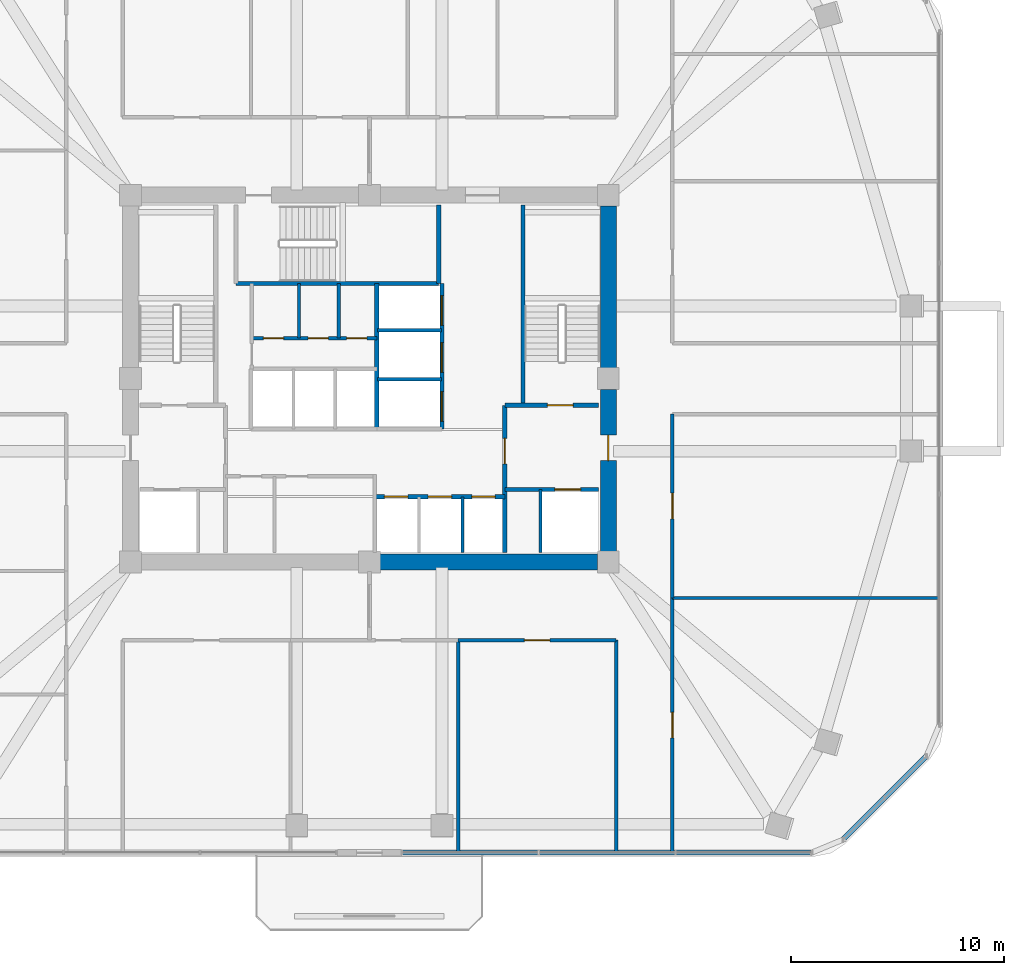
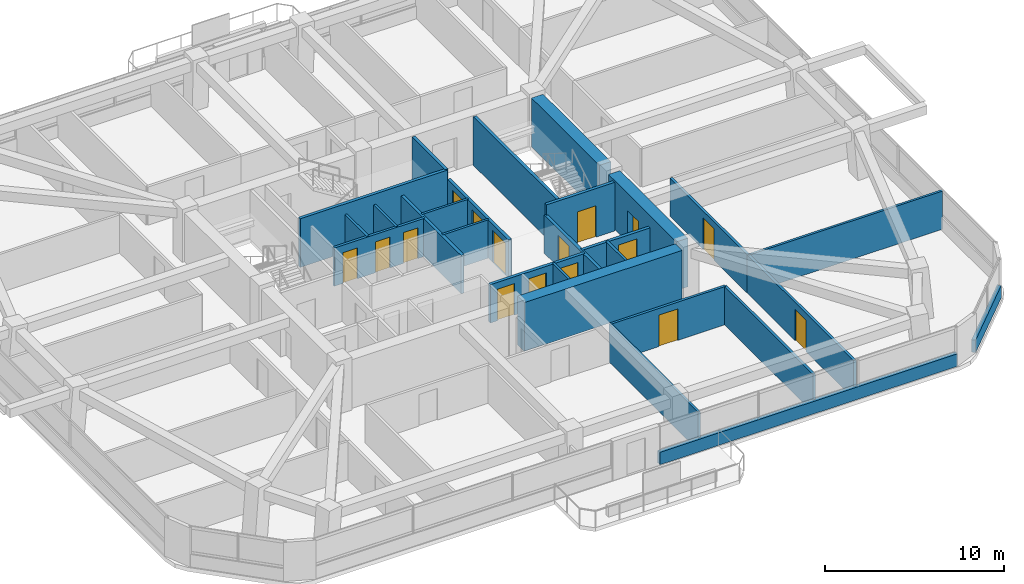
# One storey, part 9 of 13: 27 walls, 16 doors, 16 openings.
"""IFC4 building model written with IfcOpenShell, lengths in metres."""

from ifc_helpers import new_model, si_unit, derived_unit, direction, frame, frame_2d, origin, place, context, subcontext, project, spatial, rectangle, extrude, material, layer, layer_set, type_object, element, fill, save


model = new_model("IFC4")

# Units and contexts
model_context = context("Model", 3, precision=1e-05, world=origin(), true_north=direction((0.0, 1.0)))
body_context = subcontext(model_context, "Body", "Model", "MODEL_VIEW")
ifc_project = project(units=[si_unit("LENGTHUNIT", "METRE"), si_unit("AREAUNIT", "SQUARE_METRE"), si_unit("VOLUMEUNIT", "CUBIC_METRE"), si_unit("PLANEANGLEUNIT", "RADIAN"), si_unit("MASSUNIT", "GRAM", prefix="KILO"), derived_unit("THERMALTRANSMITTANCEUNIT", [(si_unit("POWERUNIT", "WATT"), 1), (si_unit("LENGTHUNIT", "METRE"), -2), (si_unit("THERMODYNAMICTEMPERATUREUNIT", "KELVIN"), -1)])], contexts=[model_context])

# Site, building, storey
site_placement = place(None, origin())
site = spatial("IfcSite", under=ifc_project, at=site_placement, CompositionType="ELEMENT")
building_placement = place(site_placement, origin())
building = spatial("IfcBuilding", under=site, at=building_placement, Name="Koralith Skygarden Medical Center", CompositionType="ELEMENT")
storey_placement = place(building_placement, frame((0.0, 0.0, 88.3798828125)))
storey = spatial("IfcBuildingStorey", under=building, at=storey_placement, Name="L22", CompositionType="ELEMENT", Elevation=88.3798828125)

# Walls
ifc_material_1 = material(Name="Gypsum Board Partition")
ifc_layer_1 = layer(ifc_material_1, 0.14990234375)
ifc_layer_set_1 = layer_set([ifc_layer_1], Name="Gypsum Board Partition")
wall_type_1 = type_object("IfcWallType", Name="Clinical Acoustic Partition 150", PredefinedType="PARTITIONING", material=ifc_layer_set_1)
for number, where, z_axis, x_axis, name in (
    (1, (33.699951171875, 27.800048828125, 0.0), (0.0, 0.0, 1.0), (0.0, 1.0, 0.0), "L22 Clinical Acoustic Partition 150 W-CORE-L22-FLEX-V2A"),
    (2, (35.56005859375, 27.800048828125, 0.0), (0.0, 0.0, 1.0), (0.0, 1.0, 0.0), "L22 Clinical Acoustic Partition 150 W-CORE-L22-FLEX-V2B"),
):
    element("IfcWall", number, at=place(storey_placement, frame(where, z_axis=z_axis, x_axis=x_axis)), inside=storey, type_object=wall_type_1, Name=name, PredefinedType="PARTITIONING", context=body_context, shape_type="SweptSolid", body=[
        extrude(rectangle(XDim=2.56005859375, YDim=0.14990234375, at=frame_2d((1.280029296875, 0.0))), origin(), (0.0, 0.0, 1.0), 2.610107421875),
    ])
wall_1_placement = place(storey_placement, frame((41.162109375, 13.639892578125, 0.0), z_axis=(0.0, 0.0, 1.0), x_axis=(0.0, -1.0, 0.0)))
element("IfcWall", 3, at=wall_1_placement, inside=storey, type_object=wall_type_1, Name="L22 Clinical Acoustic Partition 150 W-PART-L22-S-02", PredefinedType="PARTITIONING", context=body_context, shape_type="SweptSolid", body=[
    extrude(rectangle(XDim=9.93994140625, YDim=0.14990234375, at=frame_2d((4.969970703125, 0.0))), origin(), (0.0, 0.0, 1.0), 2.610107421875),
])
wall_2_placement = place(storey_placement, frame((51.2099609375, 15.613037109375, 0.0), z_axis=(0.0, 0.0, 1.0), x_axis=(1.0, 0.0, 0.0)))
element("IfcWall", 4, at=wall_2_placement, inside=storey, type_object=wall_type_1, Name="L22 Clinical Acoustic Partition 150 W-PART-L22-ES-01", PredefinedType="PARTITIONING", context=body_context, shape_type="SweptSolid", body=[
    extrude(rectangle(XDim=12.489990234375, YDim=0.14990234375, at=frame_2d((6.2451171875, 0.0))), origin(), (0.0, 0.0, 1.0), 2.610107421875),
])
ifc_layer_2 = layer(ifc_material_1, 0.1650390625)
ifc_layer_set_2 = layer_set([ifc_layer_2], Name="Gypsum Board Partition")
wall_type_2 = type_object("IfcWallType", Name="Clinical Corridor Partition 165", PredefinedType="PARTITIONING", material=ifc_layer_set_2)
wall_3_placement = place(storey_placement, frame((48.570068359375, 3.699951171875, 0.0), z_axis=(0.0, 0.0, 1.0), x_axis=(0.0, 1.0, 0.0)))
element("IfcWall", 5, at=wall_3_placement, inside=storey, type_object=wall_type_2, Name="L22 Clinical Corridor Partition 165 W-HCOR-L22-SE", PredefinedType="PARTITIONING", context=body_context, shape_type="SweptSolid", body=[
    extrude(rectangle(XDim=9.93994140625, YDim=0.1650390625, at=frame_2d((4.969970703125, 0.0))), origin(), (0.0, 0.0, 1.0), 2.610107421875),
])

# Wall, opening, door
wall_4_placement = place(storey_placement, frame((41.162109375, 13.639892578125, 0.0), z_axis=(0.0, 0.0, 1.0), x_axis=(1.0, 0.0, 0.0)))
wall_4 = element("IfcWall", 6, at=wall_4_placement, inside=storey, type_object=wall_type_2, Name="L22 Clinical Corridor Partition 165 W-CORR-L22-S-03", PredefinedType="PARTITIONING", context=body_context, shape_type="SweptSolid", body=[
    extrude(rectangle(XDim=7.407958984375, YDim=0.1650390625, at=frame_2d((3.7041015625, 0.0))), origin(), (0.0, 0.0, 1.0), 2.610107421875),
])
opening_1_placement = place(wall_4_placement, frame((3.10400390625, 0.0, 0.0)))
opening_1 = element("IfcOpeningElement", 7, at=opening_1_placement, cuts=wall_4, Name="Opening D-CLN", PredefinedType="OPENING", context=body_context, shape_type="SweptSolid", body=[
    extrude(rectangle(XDim=1.199951171875, YDim=2.14990234375, at=frame_2d((0.60009765625, 1.074951171875))), frame((0.0, 0.092529296875, 0.0), z_axis=(0.0, -1.0, 0.0), x_axis=(1.0, 0.0, 0.0)), (0.0, 0.0, 1.0), 0.18505859375),
])
ifc_material_2 = material(Name="Aluminium 6063-T6", Category="aluminium")
door_type_1 = type_object("IfcDoorType", Name="Clinical Corridor Door D-CLN 1200", OperationType="NOTDEFINED", PredefinedType="DOOR", material=ifc_material_2)
door_1_placement = place(opening_1_placement, frame((1.199951171875, 0.0, 0.0), z_axis=(0.0, 0.0, 1.0), x_axis=(-1.0, 0.0, 0.0)))
door_1 = element("IfcDoor", 8, at=door_1_placement, inside=storey, type_object=door_type_1, Name="L22 Physician Consultation Office 07 Door", OperationType="SINGLE_SWING_RIGHT", OverallHeight=2.14990234375, OverallWidth=1.199951171875, PredefinedType="DOOR", context=body_context, shape_type="SweptSolid", body=[
    extrude(rectangle(XDim=1.199951171875, YDim=2.14990234375, at=frame_2d((0.60009765625, 1.074951171875))), frame((0.0, 0.02490234375, 0.0), z_axis=(0.0, -1.0, 0.0), x_axis=(1.0, 0.0, 0.0)), (0.0, 0.0, 1.0), 0.050048828125),
])
fill(opening_1, door_1)

wall_5_placement = place(storey_placement, frame((51.2099609375, 3.699951171875, 0.0), z_axis=(0.0, 0.0, 1.0), x_axis=(0.0, 1.0, 0.0)))
wall_5 = element("IfcWall", 9, at=wall_5_placement, inside=storey, type_object=wall_type_2, Name="L22 Clinical Corridor Partition 165 W-CORR-L22-ES-01", PredefinedType="PARTITIONING", context=body_context, shape_type="SweptSolid", body=[
    extrude(rectangle(XDim=11.9130859375, YDim=0.1650390625, at=frame_2d((5.95654296875, 0.0))), origin(), (0.0, 0.0, 1.0), 2.610107421875),
])
opening_2_placement = place(wall_5_placement, frame((5.35693359375, 0.0, 0.0)))
opening_2 = element("IfcOpeningElement", 10, at=opening_2_placement, cuts=wall_5, Name="Opening D-CLN", PredefinedType="OPENING", context=body_context, shape_type="SweptSolid", body=[
    extrude(rectangle(XDim=1.199951171875, YDim=2.14990234375, at=frame_2d((0.60009765625, 1.074951171875))), frame((0.0, 0.092529296875, 0.0), z_axis=(0.0, -1.0, 0.0), x_axis=(1.0, 0.0, 0.0)), (0.0, 0.0, 1.0), 0.18505859375),
])
door_2_placement = place(opening_2_placement, origin())
door_2 = element("IfcDoor", 11, at=door_2_placement, inside=storey, type_object=door_type_1, Name="L22 Patient Nutrition Pantry 13 Door", OperationType="SINGLE_SWING_RIGHT", OverallHeight=2.14990234375, OverallWidth=1.199951171875, PredefinedType="DOOR", context=body_context, shape_type="SweptSolid", body=[
    extrude(rectangle(XDim=1.199951171875, YDim=2.14990234375, at=frame_2d((0.60009765625, 1.074951171875))), frame((0.0, 0.02490234375, 0.0), z_axis=(0.0, -1.0, 0.0), x_axis=(1.0, 0.0, 0.0)), (0.0, 0.0, 1.0), 0.050048828125),
])
fill(opening_2, door_2)

wall_6_placement = place(storey_placement, frame((51.2099609375, 15.613037109375, 0.0), z_axis=(0.0, 0.0, 1.0), x_axis=(0.0, 1.0, 0.0)))
wall_6 = element("IfcWall", 12, at=wall_6_placement, inside=storey, type_object=wall_type_2, Name="L22 Clinical Corridor Partition 165 W-CORR-L22-ES-02", PredefinedType="PARTITIONING", context=body_context, shape_type="SweptSolid", body=[
    extrude(rectangle(XDim=8.626953125, YDim=0.1650390625, at=frame_2d((4.3134765625, 0.0))), origin(), (0.0, 0.0, 1.0), 2.610107421875),
])
opening_3_placement = place(wall_6_placement, frame((3.712890625, 0.0, 0.0)))
opening_3 = element("IfcOpeningElement", 13, at=opening_3_placement, cuts=wall_6, Name="Opening D-CLN", PredefinedType="OPENING", context=body_context, shape_type="SweptSolid", body=[
    extrude(rectangle(XDim=1.199951171875, YDim=2.14990234375, at=frame_2d((0.60009765625, 1.074951171875))), frame((0.0, 0.092529296875, 0.0), z_axis=(0.0, -1.0, 0.0), x_axis=(1.0, 0.0, 0.0)), (0.0, 0.0, 1.0), 0.18505859375),
])
door_3_placement = place(opening_3_placement, origin())
door_3 = element("IfcDoor", 14, at=door_3_placement, inside=storey, type_object=door_type_1, Name="L22 Clinical Consultation Office 14 Door", OperationType="SINGLE_SWING_LEFT", OverallHeight=2.14990234375, OverallWidth=1.199951171875, PredefinedType="DOOR", context=body_context, shape_type="SweptSolid", body=[
    extrude(rectangle(XDim=1.199951171875, YDim=2.14990234375, at=frame_2d((0.60009765625, 1.074951171875))), frame((0.0, 0.02490234375, 0.0), z_axis=(0.0, -1.0, 0.0), x_axis=(1.0, 0.0, 0.0)), (0.0, 0.0, 1.0), 0.050048828125),
])
fill(opening_3, door_3)

ifc_layer_3 = layer(ifc_material_1, 0.199951171875)
ifc_layer_set_3 = layer_set([ifc_layer_3], Name="Gypsum Board Partition")
wall_type_3 = type_object("IfcWallType", Name="Fire Shaft Wall 200", PredefinedType="SOLIDWALL", material=ifc_layer_set_3)
wall_7_placement = place(storey_placement, frame((43.35009765625, 20.699951171875, 0.0), z_axis=(0.0, 0.0, 1.0), x_axis=(1.0, 0.0, 0.0)))
wall_7 = element("IfcWall", 15, at=wall_7_placement, inside=storey, type_object=wall_type_3, Name="L22 Fire Shaft Wall 200 W-CORE-L22-FF2-N", PredefinedType="SOLIDWALL", context=body_context, shape_type="SweptSolid", body=[
    extrude(rectangle(XDim=4.39990234375, YDim=0.199951171875, at=frame_2d((2.199951171875, 0.0))), origin(), (0.0, 0.0, 1.0), 2.610107421875),
])
opening_4_placement = place(wall_7_placement, frame((2.35009765625, 0.0, 0.0)))
opening_4 = element("IfcOpeningElement", 16, at=opening_4_placement, cuts=wall_7, Name="Opening LD-FF", PredefinedType="OPENING", context=body_context, shape_type="SweptSolid", body=[
    extrude(rectangle(XDim=1.199951171875, YDim=2.14990234375, at=frame_2d((0.60009765625, 1.074951171875))), frame((0.0, 0.10986328125, 0.0), z_axis=(0.0, -1.0, 0.0), x_axis=(1.0, 0.0, 0.0)), (0.0, 0.0, 1.0), 0.219970703125),
])
ifc_material_3 = material(Name="Steel ASTM A500 Grade C", Category="steel")
door_type_2 = type_object("IfcDoorType", Name="Fire Lift Sliding Landing Door LD-FF 1200", OperationType="NOTDEFINED", PredefinedType="DOOR", material=ifc_material_3)
door_4_placement = place(opening_4_placement, origin())
door_4 = element("IfcDoor", 17, at=door_4_placement, inside=storey, type_object=door_type_2, Name="L22 Fire Service Elevator FF2 Landing Door", OperationType="SLIDING_TO_RIGHT", OverallHeight=2.14990234375, OverallWidth=1.199951171875, PredefinedType="DOOR", context=body_context, shape_type="SweptSolid", body=[
    extrude(rectangle(XDim=1.199951171875, YDim=2.14990234375, at=frame_2d((0.60009765625, 1.074951171875))), frame((0.0, 0.02490234375, 0.0), z_axis=(0.0, -1.0, 0.0), x_axis=(1.0, 0.0, 0.0)), (0.0, 0.0, 1.0), 0.050048828125),
])
fill(opening_4, door_4)

wall_8_placement = place(storey_placement, frame((43.35009765625, 17.75, 0.0), z_axis=(0.0, 0.0, 1.0), x_axis=(0.0, 1.0, 0.0)))
wall_8 = element("IfcWall", 18, at=wall_8_placement, inside=storey, type_object=wall_type_3, Name="L22 Fire Shaft Wall 200 W-CORE-L22-FSAEE-W", PredefinedType="SOLIDWALL", context=body_context, shape_type="SweptSolid", body=[
    extrude(rectangle(XDim=6.89990234375, YDim=0.199951171875, at=frame_2d((3.449951171875, 0.0))), origin(), (0.0, 0.0, 1.0), 2.610107421875),
])
opening_5_placement = place(wall_8_placement, frame((4.14990234375, 0.0, 0.0)))
opening_5 = element("IfcOpeningElement", 19, at=opening_5_placement, cuts=wall_8, Name="Opening D-ST60", PredefinedType="OPENING", context=body_context, shape_type="SweptSolid", body=[
    extrude(rectangle(XDim=1.199951171875, YDim=2.14990234375, at=frame_2d((0.60009765625, 1.074951171875))), frame((0.0, 0.10986328125, 0.0), z_axis=(0.0, -1.0, 0.0), x_axis=(1.0, 0.0, 0.0)), (0.0, 0.0, 1.0), 0.219970703125),
])
door_type_3 = type_object("IfcDoorType", Name="Smokeproof Stair Fire Door FD60S 1200", OperationType="NOTDEFINED", PredefinedType="DOOR", material=ifc_material_3)
door_5_placement = place(opening_5_placement, frame((1.199951171875, 0.0, 0.0), z_axis=(0.0, 0.0, 1.0), x_axis=(-1.0, 0.0, 0.0)))
door_5 = element("IfcDoor", 20, at=door_5_placement, inside=storey, type_object=door_type_3, Name="L22 East Firefighting Lobby Inner Fire Door", OperationType="SINGLE_SWING_RIGHT", OverallHeight=2.14990234375, OverallWidth=1.199951171875, PredefinedType="DOOR", context=body_context, shape_type="SweptSolid", body=[
    extrude(rectangle(XDim=1.199951171875, YDim=2.14990234375, at=frame_2d((0.60009765625, 1.074951171875))), frame((0.0, 0.02490234375, 0.0), z_axis=(0.0, -1.0, 0.0), x_axis=(1.0, 0.0, 0.0)), (0.0, 0.0, 1.0), 0.050048828125),
])
fill(opening_5, door_5)

# Wall, openings, doors
wall_9_placement = place(storey_placement, frame((37.25, 20.360107421875, 0.0), z_axis=(0.0, 0.0, 1.0), x_axis=(1.0, 0.0, 0.0)))
wall_9 = element("IfcWall", 21, at=wall_9_placement, inside=storey, type_object=wall_type_3, Name="L22 Fire Shaft Wall 200 W-CORE-L22-PM-N", PredefinedType="SOLIDWALL", context=body_context, shape_type="SweptSolid", body=[
    extrude(rectangle(XDim=6.10009765625, YDim=0.199951171875, at=frame_2d((3.050048828125, 0.0))), origin(), (0.0, 0.0, 1.0), 2.610107421875),
])
opening_6_placement = place(wall_9_placement, frame((0.449951171875, 0.0, 0.0)))
opening_6 = element("IfcOpeningElement", 22, at=opening_6_placement, cuts=wall_9, Name="Opening LD-P", PredefinedType="OPENING", context=body_context, shape_type="SweptSolid", body=[
    extrude(rectangle(XDim=1.10009765625, YDim=2.14990234375, at=frame_2d((0.550048828125, 1.074951171875))), frame((0.0, 0.10986328125, 0.0), z_axis=(0.0, -1.0, 0.0), x_axis=(1.0, 0.0, 0.0)), (0.0, 0.0, 1.0), 0.219970703125),
])
opening_7_placement = place(wall_9_placement, frame((2.5, 0.0, 0.0)))
opening_7 = element("IfcOpeningElement", 23, at=opening_7_placement, cuts=wall_9, Name="Opening LD-P", PredefinedType="OPENING", context=body_context, shape_type="SweptSolid", body=[
    extrude(rectangle(XDim=1.10009765625, YDim=2.14990234375, at=frame_2d((0.550048828125, 1.074951171875))), frame((0.0, 0.10986328125, 0.0), z_axis=(0.0, -1.0, 0.0), x_axis=(1.0, 0.0, 0.0)), (0.0, 0.0, 1.0), 0.219970703125),
])
opening_8_placement = place(wall_9_placement, frame((4.550048828125, 0.0, 0.0)))
opening_8 = element("IfcOpeningElement", 24, at=opening_8_placement, cuts=wall_9, Name="Opening LD-P", PredefinedType="OPENING", context=body_context, shape_type="SweptSolid", body=[
    extrude(rectangle(XDim=1.10009765625, YDim=2.14990234375, at=frame_2d((0.550048828125, 1.074951171875))), frame((0.0, 0.10986328125, 0.0), z_axis=(0.0, -1.0, 0.0), x_axis=(1.0, 0.0, 0.0)), (0.0, 0.0, 1.0), 0.219970703125),
])
door_type_4 = type_object("IfcDoorType", Name="Passenger Lift Sliding Landing Door LD-P 1100", OperationType="NOTDEFINED", PredefinedType="DOOR", material=ifc_material_3)
door_6_placement = place(opening_6_placement, origin())
door_6 = element("IfcDoor", 25, at=door_6_placement, inside=storey, type_object=door_type_4, Name="L22 Passenger Elevator PM1 Landing Door", OperationType="SLIDING_TO_LEFT", OverallHeight=2.14990234375, OverallWidth=1.10009765625, PredefinedType="DOOR", context=body_context, shape_type="SweptSolid", body=[
    extrude(rectangle(XDim=1.10009765625, YDim=2.14990234375, at=frame_2d((0.550048828125, 1.074951171875))), frame((0.0, 0.02490234375, 0.0), z_axis=(0.0, -1.0, 0.0), x_axis=(1.0, 0.0, 0.0)), (0.0, 0.0, 1.0), 0.050048828125),
])
fill(opening_6, door_6)
door_7_placement = place(opening_7_placement, origin())
door_7 = element("IfcDoor", 26, at=door_7_placement, inside=storey, type_object=door_type_4, Name="L22 Passenger Elevator PM2 Landing Door", OperationType="SLIDING_TO_LEFT", OverallHeight=2.14990234375, OverallWidth=1.10009765625, PredefinedType="DOOR", context=body_context, shape_type="SweptSolid", body=[
    extrude(rectangle(XDim=1.10009765625, YDim=2.14990234375, at=frame_2d((0.550048828125, 1.074951171875))), frame((0.0, 0.02490234375, 0.0), z_axis=(0.0, -1.0, 0.0), x_axis=(1.0, 0.0, 0.0)), (0.0, 0.0, 1.0), 0.050048828125),
])
fill(opening_7, door_7)
door_8_placement = place(opening_8_placement, origin())
door_8 = element("IfcDoor", 27, at=door_8_placement, inside=storey, type_object=door_type_4, Name="L22 Passenger Elevator PM3 Landing Door", OperationType="SLIDING_TO_LEFT", OverallHeight=2.14990234375, OverallWidth=1.10009765625, PredefinedType="DOOR", context=body_context, shape_type="SweptSolid", body=[
    extrude(rectangle(XDim=1.10009765625, YDim=2.14990234375, at=frame_2d((0.550048828125, 1.074951171875))), frame((0.0, 0.02490234375, 0.0), z_axis=(0.0, -1.0, 0.0), x_axis=(1.0, 0.0, 0.0)), (0.0, 0.0, 1.0), 0.050048828125),
])
fill(opening_8, door_8)

# Wall
wall_10_placement = place(storey_placement, frame((37.35009765625, 23.5400390625, 0.0), z_axis=(0.0, 0.0, 1.0), x_axis=(0.0, 1.0, 0.0)))
element("IfcWall", 28, at=wall_10_placement, inside=storey, type_object=wall_type_3, Name="L22 Fire Shaft Wall 200 W-CORE-L22-SV-W", PredefinedType="SOLIDWALL", context=body_context, shape_type="SweptSolid", body=[
    extrude(rectangle(XDim=6.820068359375, YDim=0.199951171875, at=frame_2d((3.41015625, 0.0))), origin(), (0.0, 0.0, 1.0), 2.610107421875),
])

# Wall, openings, doors
wall_11_placement = place(storey_placement, frame((40.39990234375, 23.5400390625, 0.0), z_axis=(0.0, 0.0, 1.0), x_axis=(0.0, 1.0, 0.0)))
wall_11 = element("IfcWall", 29, at=wall_11_placement, inside=storey, type_object=wall_type_3, Name="L22 Fire Shaft Wall 200 W-CORE-L22-SV-E", PredefinedType="SOLIDWALL", context=body_context, shape_type="SweptSolid", body=[
    extrude(rectangle(XDim=6.820068359375, YDim=0.199951171875, at=frame_2d((3.41015625, 0.0))), origin(), (0.0, 0.0, 1.0), 2.610107421875),
])
opening_9_placement = place(wall_11_placement, frame((0.35009765625, 0.0, 0.0)))
opening_9 = element("IfcOpeningElement", 30, at=opening_9_placement, cuts=wall_11, Name="Opening LD-SV", PredefinedType="OPENING", context=body_context, shape_type="SweptSolid", body=[
    extrude(rectangle(XDim=1.39990234375, YDim=2.199951171875, at=frame_2d((0.699951171875, 1.10009765625))), frame((0.0, 0.10986328125, 0.0), z_axis=(0.0, -1.0, 0.0), x_axis=(1.0, 0.0, 0.0)), (0.0, 0.0, 1.0), 0.219970703125),
])
opening_10_placement = place(wall_11_placement, frame((2.64990234375, 0.0, 0.0)))
opening_10 = element("IfcOpeningElement", 31, at=opening_10_placement, cuts=wall_11, Name="Opening LD-SV", PredefinedType="OPENING", context=body_context, shape_type="SweptSolid", body=[
    extrude(rectangle(XDim=1.39990234375, YDim=2.199951171875, at=frame_2d((0.699951171875, 1.10009765625))), frame((0.0, 0.10986328125, 0.0), z_axis=(0.0, -1.0, 0.0), x_axis=(1.0, 0.0, 0.0)), (0.0, 0.0, 1.0), 0.219970703125),
])
opening_11_placement = place(wall_11_placement, frame((4.85009765625, 0.0, 0.0)))
opening_11 = element("IfcOpeningElement", 32, at=opening_11_placement, cuts=wall_11, Name="Opening LD-SV", PredefinedType="OPENING", context=body_context, shape_type="SweptSolid", body=[
    extrude(rectangle(XDim=1.39990234375, YDim=2.199951171875, at=frame_2d((0.699951171875, 1.10009765625))), frame((0.0, 0.10986328125, 0.0), z_axis=(0.0, -1.0, 0.0), x_axis=(1.0, 0.0, 0.0)), (0.0, 0.0, 1.0), 0.219970703125),
])
door_type_5 = type_object("IfcDoorType", Name="Bed Lift Sliding Landing Door LD-SV 1400", OperationType="NOTDEFINED", PredefinedType="DOOR", material=ifc_material_3)
door_9_placement = place(opening_9_placement, origin())
door_9 = element("IfcDoor", 33, at=door_9_placement, inside=storey, type_object=door_type_5, Name="L22 Bed Elevator BD1 Landing Door", OperationType="SLIDING_TO_LEFT", OverallHeight=2.199951171875, OverallWidth=1.39990234375, PredefinedType="DOOR", context=body_context, shape_type="SweptSolid", body=[
    extrude(rectangle(XDim=1.39990234375, YDim=2.199951171875, at=frame_2d((0.699951171875, 1.10009765625))), frame((0.0, 0.02490234375, 0.0), z_axis=(0.0, -1.0, 0.0), x_axis=(1.0, 0.0, 0.0)), (0.0, 0.0, 1.0), 0.050048828125),
])
fill(opening_9, door_9)
door_10_placement = place(opening_10_placement, origin())
door_10 = element("IfcDoor", 34, at=door_10_placement, inside=storey, type_object=door_type_5, Name="L22 Service Elevator BD2 Landing Door", OperationType="SLIDING_TO_LEFT", OverallHeight=2.199951171875, OverallWidth=1.39990234375, PredefinedType="DOOR", context=body_context, shape_type="SweptSolid", body=[
    extrude(rectangle(XDim=1.39990234375, YDim=2.199951171875, at=frame_2d((0.699951171875, 1.10009765625))), frame((0.0, 0.02490234375, 0.0), z_axis=(0.0, -1.0, 0.0), x_axis=(1.0, 0.0, 0.0)), (0.0, 0.0, 1.0), 0.050048828125),
])
fill(opening_10, door_10)
door_11_placement = place(opening_11_placement, origin())
door_11 = element("IfcDoor", 35, at=door_11_placement, inside=storey, type_object=door_type_5, Name="L22 Trauma Elevator TR1 Landing Door", OperationType="SLIDING_TO_RIGHT", OverallHeight=2.199951171875, OverallWidth=1.39990234375, PredefinedType="DOOR", context=body_context, shape_type="SweptSolid", body=[
    extrude(rectangle(XDim=1.39990234375, YDim=2.199951171875, at=frame_2d((0.699951171875, 1.10009765625))), frame((0.0, 0.02490234375, 0.0), z_axis=(0.0, -1.0, 0.0), x_axis=(1.0, 0.0, 0.0)), (0.0, 0.0, 1.0), 0.050048828125),
])
fill(opening_11, door_11)

# Walls
ifc_material_4 = material(Name="Warm Oolitic Limestone Cladding", Category="masonry")
ifc_layer_4 = layer(ifc_material_4, 0.239990234375)
ifc_layer_set_4 = layer_set([ifc_layer_4], Name="Warm Oolitic Limestone Cladding")
wall_type_4 = type_object("IfcWallType", Name="Limestone Spandrel Sill Backup Wall 240", PredefinedType="SOLIDWALL", material=ifc_layer_set_4)
wall_12_placement = place(storey_placement, frame((38.5390625, 3.679931640625, 0.0), z_axis=(0.0, 0.0, 1.0), x_axis=(1.0, 0.0, 0.0)))
element("IfcWall", 36, at=wall_12_placement, inside=storey, type_object=wall_type_4, Name="L22 Sill Spandrel S-R", PredefinedType="SOLIDWALL", context=body_context, shape_type="SweptSolid", body=[
    extrude(rectangle(XDim=19.2060546875, YDim=0.239990234375, at=frame_2d((9.60302734375, 0.0))), origin(), (0.0, 0.0, 1.0), 0.85009765625),
])
wall_13_placement = place(storey_placement, frame((59.196044921875, 4.281005859375, 0.0), z_axis=(0.0, 0.0, 1.0), x_axis=(0.707084777957, 0.707128783731, 0.0)))
element("IfcWall", 37, at=wall_13_placement, inside=storey, type_object=wall_type_4, Name="L22 Sill Spandrel SE", PredefinedType="SOLIDWALL", context=body_context, shape_type="SweptSolid", body=[
    extrude(rectangle(XDim=5.5478515625, YDim=0.239990234375, at=frame_2d((2.77392578125, 0.0))), origin(), (0.0, 0.0, 1.0), 0.85009765625),
])
ifc_material_5 = material(Name="Concrete C70/85", Category="concrete")
ifc_layer_5 = layer(ifc_material_5, 0.75)
ifc_layer_set_5 = layer_set([ifc_layer_5], Name="Concrete C70/85")
wall_type_5 = type_object("IfcWallType", Name="Mid Core Shear Wall 750", PredefinedType="SHEAR", material=ifc_layer_set_5)
wall_14_placement = place(storey_placement, frame((37.5048828125, 17.300048828125, 0.0), z_axis=(0.0, 0.0, 1.0), x_axis=(1.0, 0.0, 0.0)))
element("IfcWall", 38, at=wall_14_placement, inside=storey, type_object=wall_type_5, Name="L22 Core Shear Wall Segment 2", PredefinedType="SHEAR", context=body_context, shape_type="SweptSolid", body=[
    extrude(rectangle(XDim=10.190185546875, YDim=0.75, at=frame_2d((5.09521484375, 0.0))), origin(), (0.0, 0.0, 1.0), 3.320068359375),
])

# Wall, opening, door
wall_15_placement = place(storey_placement, frame((48.199951171875, 17.804931640625, 0.0), z_axis=(0.0, 0.0, 1.0), x_axis=(0.0, 1.0, 0.0)))
wall_15 = element("IfcWall", 39, at=wall_15_placement, inside=storey, type_object=wall_type_5, Name="L22 Core Shear Wall Segment 3", PredefinedType="SHEAR", context=body_context, shape_type="SweptSolid", body=[
    extrude(rectangle(XDim=7.590087890625, YDim=0.75, at=frame_2d((3.794921875, 0.0))), origin(), (0.0, 0.0, 1.0), 3.320068359375),
])
opening_12_placement = place(wall_15_placement, frame((4.2451171875, 0.0, 0.0)))
opening_12 = element("IfcOpeningElement", 40, at=opening_12_placement, cuts=wall_15, Name="Opening D-ST60", PredefinedType="OPENING", context=body_context, shape_type="SweptSolid", body=[
    extrude(rectangle(XDim=1.199951171875, YDim=2.14990234375, at=frame_2d((0.60009765625, 1.074951171875))), frame((0.0, 0.385009765625, 0.0), z_axis=(0.0, -1.0, 0.0), x_axis=(1.0, 0.0, 0.0)), (0.0, 0.0, 1.0), 0.77001953125),
])
door_12_placement = place(opening_12_placement, frame((1.199951171875, 0.0, 0.0), z_axis=(0.0, 0.0, 1.0), x_axis=(-1.0, 0.0, 0.0)))
door_12 = element("IfcDoor", 41, at=door_12_placement, inside=storey, type_object=door_type_3, Name="L22 East Corridor to Firefighting Lobby Door", OperationType="SINGLE_SWING_RIGHT", OverallHeight=2.14990234375, OverallWidth=1.199951171875, PredefinedType="DOOR", context=body_context, shape_type="SweptSolid", body=[
    extrude(rectangle(XDim=1.199951171875, YDim=2.14990234375, at=frame_2d((0.60009765625, 1.074951171875))), frame((0.0, 0.02490234375, 0.0), z_axis=(0.0, -1.0, 0.0), x_axis=(1.0, 0.0, 0.0)), (0.0, 0.0, 1.0), 0.050048828125),
])
fill(opening_12, door_12)

# Wall
wall_16_placement = place(storey_placement, frame((48.199951171875, 26.405029296875, 0.0), z_axis=(0.0, 0.0, 1.0), x_axis=(0.0, 1.0, 0.0)))
element("IfcWall", 42, at=wall_16_placement, inside=storey, type_object=wall_type_5, Name="L22 Core Shear Wall Segment 4", PredefinedType="SHEAR", context=body_context, shape_type="SweptSolid", body=[
    extrude(rectangle(XDim=7.590087890625, YDim=0.75, at=frame_2d((3.794921875, 0.0))), origin(), (0.0, 0.0, 1.0), 3.320068359375),
])

# Wall, openings, doors
ifc_layer_6 = layer(ifc_material_1, 0.1650390625)
ifc_layer_set_6 = layer_set([ifc_layer_6], Name="Gypsum Board Partition")
wall_type_6 = type_object("IfcWallType", Name="Plumbing Wet Wall 165", PredefinedType="PLUMBINGWALL", material=ifc_layer_set_6)
wall_17_placement = place(storey_placement, frame((31.47998046875, 27.800048828125, 0.0), z_axis=(0.0, 0.0, 1.0), x_axis=(1.0, 0.0, 0.0)))
wall_17 = element("IfcWall", 43, at=wall_17_placement, inside=storey, type_object=wall_type_6, Name="L22 Plumbing Wet Wall 165 W-CORE-L22-FLEX-H2", PredefinedType="PLUMBINGWALL", context=body_context, shape_type="SweptSolid", body=[
    extrude(rectangle(XDim=5.8701171875, YDim=0.1650390625, at=frame_2d((2.93505859375, 0.0))), origin(), (0.0, 0.0, 1.0), 2.610107421875),
])
opening_13_placement = place(wall_17_placement, frame((0.550048828125, 0.0, 0.0)))
opening_13 = element("IfcOpeningElement", 44, at=opening_13_placement, cuts=wall_17, Name="Opening D-WC", PredefinedType="OPENING", context=body_context, shape_type="SweptSolid", body=[
    extrude(rectangle(XDim=0.949951171875, YDim=2.10009765625, at=frame_2d((0.47509765625, 1.050048828125))), frame((0.0, 0.092529296875, 0.0), z_axis=(0.0, -1.0, 0.0), x_axis=(1.0, 0.0, 0.0)), (0.0, 0.0, 1.0), 0.18505859375),
])
opening_14_placement = place(wall_17_placement, frame((2.64990234375, 0.0, 0.0)))
opening_14 = element("IfcOpeningElement", 45, at=opening_14_placement, cuts=wall_17, Name="Opening D-WC", PredefinedType="OPENING", context=body_context, shape_type="SweptSolid", body=[
    extrude(rectangle(XDim=0.949951171875, YDim=2.10009765625, at=frame_2d((0.47509765625, 1.050048828125))), frame((0.0, 0.092529296875, 0.0), z_axis=(0.0, -1.0, 0.0), x_axis=(1.0, 0.0, 0.0)), (0.0, 0.0, 1.0), 0.18505859375),
])
opening_15_placement = place(wall_17_placement, frame((4.449951171875, 0.0, 0.0)))
opening_15 = element("IfcOpeningElement", 46, at=opening_15_placement, cuts=wall_17, Name="Opening D-WC", PredefinedType="OPENING", context=body_context, shape_type="SweptSolid", body=[
    extrude(rectangle(XDim=0.949951171875, YDim=2.10009765625, at=frame_2d((0.47509765625, 1.050048828125))), frame((0.0, 0.092529296875, 0.0), z_axis=(0.0, -1.0, 0.0), x_axis=(1.0, 0.0, 0.0)), (0.0, 0.0, 1.0), 0.18505859375),
])
door_type_6 = type_object("IfcDoorType", Name="Accessible Toilet Door D-WC 950", OperationType="NOTDEFINED", PredefinedType="DOOR", material=ifc_material_2)
door_13_placement = place(opening_13_placement, origin())
door_13 = element("IfcDoor", 47, at=door_13_placement, inside=storey, type_object=door_type_6, Name="L22 Core Accessible WC Door", OperationType="SINGLE_SWING_LEFT", OverallHeight=2.10009765625, OverallWidth=0.949951171875, PredefinedType="DOOR", context=body_context, shape_type="SweptSolid", body=[
    extrude(rectangle(XDim=0.949951171875, YDim=2.10009765625, at=frame_2d((0.47509765625, 1.050048828125))), frame((0.0, 0.02490234375, 0.0), z_axis=(0.0, -1.0, 0.0), x_axis=(1.0, 0.0, 0.0)), (0.0, 0.0, 1.0), 0.050048828125),
])
fill(opening_13, door_13)
door_14_placement = place(opening_14_placement, origin())
door_14 = element("IfcDoor", 48, at=door_14_placement, inside=storey, type_object=door_type_6, Name="L22 Soiled Sluice Door", OperationType="SINGLE_SWING_LEFT", OverallHeight=2.10009765625, OverallWidth=0.949951171875, PredefinedType="DOOR", context=body_context, shape_type="SweptSolid", body=[
    extrude(rectangle(XDim=0.949951171875, YDim=2.10009765625, at=frame_2d((0.47509765625, 1.050048828125))), frame((0.0, 0.02490234375, 0.0), z_axis=(0.0, -1.0, 0.0), x_axis=(1.0, 0.0, 0.0)), (0.0, 0.0, 1.0), 0.050048828125),
])
fill(opening_14, door_14)
door_15_placement = place(opening_15_placement, origin())
door_15 = element("IfcDoor", 49, at=door_15_placement, inside=storey, type_object=door_type_6, Name="L22 Clean Linen Store Door", OperationType="SINGLE_SWING_RIGHT", OverallHeight=2.10009765625, OverallWidth=0.949951171875, PredefinedType="DOOR", context=body_context, shape_type="SweptSolid", body=[
    extrude(rectangle(XDim=0.949951171875, YDim=2.10009765625, at=frame_2d((0.47509765625, 1.050048828125))), frame((0.0, 0.02490234375, 0.0), z_axis=(0.0, -1.0, 0.0), x_axis=(1.0, 0.0, 0.0)), (0.0, 0.0, 1.0), 0.050048828125),
])
fill(opening_15, door_15)

# Walls
ifc_layer_7 = layer(ifc_material_1, 0.14990234375)
ifc_layer_set_7 = layer_set([ifc_layer_7], Name="Gypsum Board Partition")
wall_type_7 = type_object("IfcWallType", Name="Shaft Partition Wall 150", PredefinedType="PARTITIONING", material=ifc_layer_set_7)
wall_18_placement = place(storey_placement, frame((45.02001953125, 17.75, 0.0), z_axis=(0.0, 0.0, 1.0), x_axis=(0.0, 1.0, 0.0)))
element("IfcWall", 50, at=wall_18_placement, inside=storey, type_object=wall_type_7, Name="L22 Shaft Partition Wall 150 W-CORE-L22-RSRE-DIV", PredefinedType="PARTITIONING", context=body_context, shape_type="SweptSolid", body=[
    extrude(rectangle(XDim=2.949951171875, YDim=0.14990234375, at=frame_2d((1.47509765625, 0.0))), origin(), (0.0, 0.0, 1.0), 2.610107421875),
])
wall_19_placement = place(storey_placement, frame((41.3701171875, 17.75, 0.0), z_axis=(0.0, 0.0, 1.0), x_axis=(0.0, 1.0, 0.0)))
element("IfcWall", 51, at=wall_19_placement, inside=storey, type_object=wall_type_7, Name="L22 Shaft Partition Wall 150 W-CORE-L22-PM-D2", PredefinedType="PARTITIONING", context=body_context, shape_type="SweptSolid", body=[
    extrude(rectangle(XDim=2.610107421875, YDim=0.14990234375, at=frame_2d((1.30517578125, 0.0))), origin(), (0.0, 0.0, 1.0), 2.610107421875),
])
for number, where, z_axis, x_axis, name in (
    (52, (37.3701171875, 25.8701171875, 0.0), (0.0, 0.0, 1.0), (1.0, 0.0, 0.0), "L22 Shaft Partition Wall 150 W-CORE-L22-SV-D1"),
    (53, (37.3701171875, 28.169921875, 0.0), (0.0, 0.0, 1.0), (1.0, 0.0, 0.0), "L22 Shaft Partition Wall 150 W-CORE-L22-SV-D2"),
):
    element("IfcWall", number, at=place(storey_placement, frame(where, z_axis=z_axis, x_axis=x_axis)), inside=storey, type_object=wall_type_7, Name=name, PredefinedType="PARTITIONING", context=body_context, shape_type="SweptSolid", body=[
        extrude(rectangle(XDim=3.009765625, YDim=0.14990234375, at=frame_2d((1.5048828125, 0.0))), origin(), (0.0, 0.0, 1.0), 2.610107421875),
    ])
ifc_material_6 = material(Name="Concrete C45/55", Category="concrete")
ifc_layer_8 = layer(ifc_material_6, 0.199951171875)
ifc_layer_set_8 = layer_set([ifc_layer_8], Name="Concrete C45/55")
wall_type_8 = type_object("IfcWallType", Name="Structural Stair Shaft Wall 200", PredefinedType="SHEAR", material=ifc_layer_set_8)
wall_20_placement = place(storey_placement, frame((44.199951171875, 24.64990234375, 0.0), z_axis=(0.0, 0.0, 1.0), x_axis=(0.0, 1.0, 0.0)))
element("IfcWall", 54, at=wall_20_placement, inside=storey, type_object=wall_type_8, Name="L22 Structural Stair Shaft Wall 200 W-CORE-L22-ST2-W", PredefinedType="SHEAR", context=body_context, shape_type="SweptSolid", body=[
    extrude(rectangle(XDim=9.400146484375, YDim=0.199951171875, at=frame_2d((4.7001953125, 0.0))), origin(), (0.0, 0.0, 1.0), 3.320068359375),
])

# Wall, opening, door
wall_21_placement = place(storey_placement, frame((43.35009765625, 24.64990234375, 0.0), z_axis=(0.0, 0.0, 1.0), x_axis=(1.0, 0.0, 0.0)))
wall_21 = element("IfcWall", 55, at=wall_21_placement, inside=storey, type_object=wall_type_8, Name="L22 Structural Stair Shaft Wall 200 W-CORE-L22-ST2-S", PredefinedType="SHEAR", context=body_context, shape_type="SweptSolid", body=[
    extrude(rectangle(XDim=4.39990234375, YDim=0.199951171875, at=frame_2d((2.199951171875, 0.0))), origin(), (0.0, 0.0, 1.0), 3.320068359375),
])
opening_16_placement = place(wall_21_placement, frame((2.0, 0.0, 0.0)))
opening_16 = element("IfcOpeningElement", 56, at=opening_16_placement, cuts=wall_21, Name="Opening D-ST60", PredefinedType="OPENING", context=body_context, shape_type="SweptSolid", body=[
    extrude(rectangle(XDim=1.199951171875, YDim=2.14990234375, at=frame_2d((0.60009765625, 1.074951171875))), frame((0.0, 0.10986328125, 0.0), z_axis=(0.0, -1.0, 0.0), x_axis=(1.0, 0.0, 0.0)), (0.0, 0.0, 1.0), 0.219970703125),
])
door_16_placement = place(opening_16_placement, origin())
door_16 = element("IfcDoor", 57, at=door_16_placement, inside=storey, type_object=door_type_3, Name="L22 Exit Stair ST2 Fire Door", OperationType="SINGLE_SWING_RIGHT", OverallHeight=2.14990234375, OverallWidth=1.199951171875, PredefinedType="DOOR", context=body_context, shape_type="SweptSolid", body=[
    extrude(rectangle(XDim=1.199951171875, YDim=2.14990234375, at=frame_2d((0.60009765625, 1.074951171875))), frame((0.0, 0.02490234375, 0.0), z_axis=(0.0, -1.0, 0.0), x_axis=(1.0, 0.0, 0.0)), (0.0, 0.0, 1.0), 0.050048828125),
])
fill(opening_16, door_16)

# Walls
wall_22_placement = place(storey_placement, frame((30.75, 30.360107421875, 0.0), z_axis=(0.0, 0.0, 1.0), x_axis=(1.0, 0.0, 0.0)))
element("IfcWall", 58, at=wall_22_placement, inside=storey, type_object=wall_type_8, Name="L22 Structural Stair Shaft Wall 200 W-CORE-L22-ST3-S", PredefinedType="SHEAR", context=body_context, shape_type="SweptSolid", body=[
    extrude(rectangle(XDim=9.5, YDim=0.199951171875, at=frame_2d((4.75, 0.0))), origin(), (0.0, 0.0, 1.0), 3.320068359375),
])
wall_23_placement = place(storey_placement, frame((40.25, 30.360107421875, 0.0), z_axis=(0.0, 0.0, 1.0), x_axis=(0.0, 1.0, 0.0)))
element("IfcWall", 59, at=wall_23_placement, inside=storey, type_object=wall_type_8, Name="L22 Structural Stair Shaft Wall 200 W-CORE-L22-ST3-E", PredefinedType="SHEAR", context=body_context, shape_type="SweptSolid", body=[
    extrude(rectangle(XDim=3.68994140625, YDim=0.199951171875, at=frame_2d((1.844970703125, 0.0))), origin(), (0.0, 0.0, 1.0), 3.320068359375),
])

save(model, "model.ifc")
